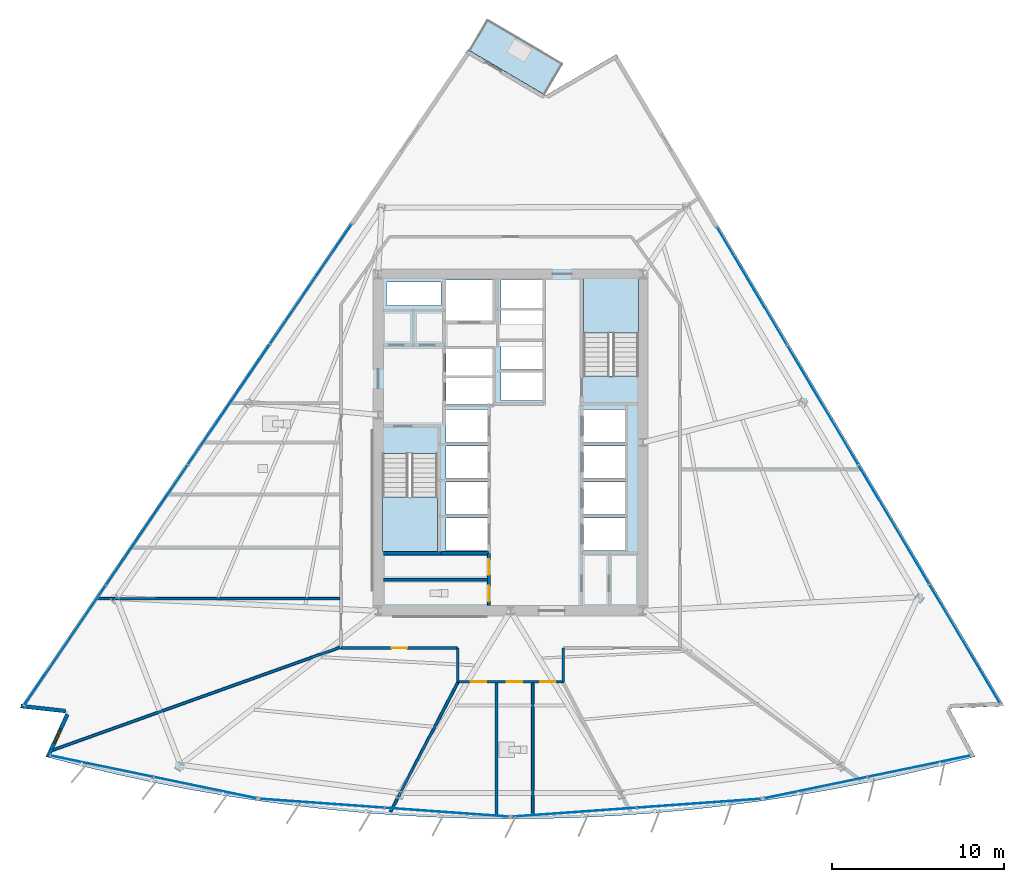
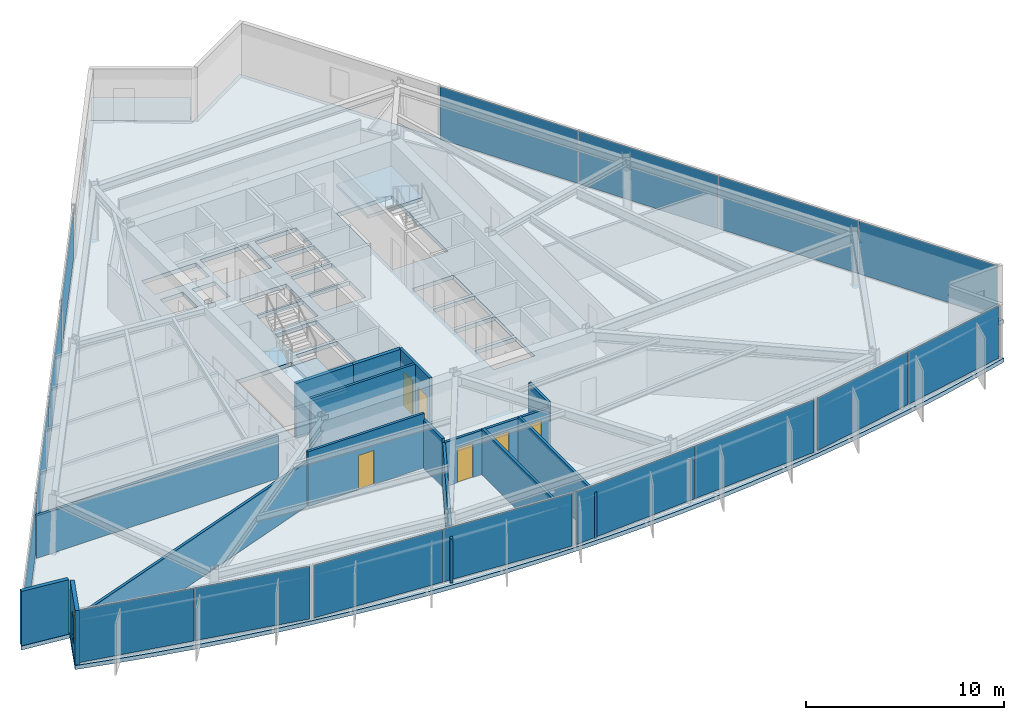
# One storey, part 7 of 15: 16 plates, 15 walls, 6 doors, 4 slabs, 1 window, 7 openings, 8 elements without a shape of their own.
"""IFC4 building model written with IfcOpenShell, lengths in metres."""

from ifc_helpers import new_model, si_unit, direction, frame, frame_2d, origin, origin_2d, place, context, subcontext, project, spatial, polyline, rectangle, outline, extrude, material, layer, layer_set, type_object, element, fill, aggregate, save


model = new_model("IFC4")

# Units and contexts
model_context = context("Model", 3, precision=1e-05, world=origin(), true_north=direction((0.0, 1.0)))
body_context = subcontext(model_context, "Body", "Model", "MODEL_VIEW")
ifc_project = project(units=[si_unit("LENGTHUNIT", "METRE"), si_unit("AREAUNIT", "SQUARE_METRE"), si_unit("VOLUMEUNIT", "CUBIC_METRE"), si_unit("PLANEANGLEUNIT", "RADIAN"), si_unit("MASSUNIT", "GRAM", prefix="KILO")], contexts=[model_context])

# Site, building, storey
site_placement = place(None, origin())
site = spatial("IfcSite", under=ifc_project, at=site_placement, CompositionType="ELEMENT")
building_placement = place(site_placement, origin())
building = spatial("IfcBuilding", under=site, at=building_placement, Name="Savorim Split Tower", CompositionType="ELEMENT")
storey_placement = place(building_placement, frame((0.0, 0.0, 82.5)))
storey = spatial("IfcBuildingStorey", under=building, at=storey_placement, Name="L21", CompositionType="ELEMENT", Elevation=82.5)

# Curtain wall, plates
ifc_material_1 = material(Name="Dark Ceramic-Fritted Insulated Glass", Category="glass")
curtain_wall_type = type_object("IfcCurtainWallType", Name="CW-TWR-FRIT-A", PredefinedType="NOTDEFINED", material=ifc_material_1)
curtain_wall_1_placement = place(storey_placement, origin())
curtain_wall_1 = element("IfcCurtainWall", 1, at=curtain_wall_1_placement, inside=storey, type_object=curtain_wall_type, Name="L21 Curtain Wall CW-L21-SF1", PredefinedType="NOTDEFINED")
ifc_layer_1 = layer(ifc_material_1, 0.028076171875)
ifc_layer_set_1 = layer_set([ifc_layer_1], Name="CWP-FRITA-28")
plate_type = type_object("IfcPlateType", Name="CWP-FRITA-28", PredefinedType="CURTAIN_PANEL", material=ifc_layer_set_1)
plate_1_placement = place(storey_placement, frame((-23.7607421875, -18.440673828125, 0.05517578125), z_axis=(0.0, 0.0, 1.0), x_axis=(0.979135145772, -0.203210153081, 0.0)))
plate_1 = element("IfcPlate", 2, at=plate_1_placement, type_object=plate_type, Name="CW-02 panel 1.1", PredefinedType="CURTAIN_PANEL", context=body_context, shape_type="SweptSolid", body=[
    extrude(rectangle(XDim=6.072021484375, YDim=0.028076171875, at=origin_2d()), origin(), (0.0, 0.0, 1.0), 3.239990234375),
])
plate_2_placement = place(storey_placement, frame((-17.751708984375, -19.687744140625, 0.05517578125), z_axis=(0.0, 0.0, 1.0), x_axis=(0.979135145772, -0.203210153081, 0.0)))
plate_2 = element("IfcPlate", 3, at=plate_2_placement, type_object=plate_type, Name="CW-02 panel 2.1", PredefinedType="CURTAIN_PANEL", context=body_context, shape_type="SweptSolid", body=[
    extrude(rectangle(XDim=6.072021484375, YDim=0.028076171875, at=origin_2d()), origin(), (0.0, 0.0, 1.0), 3.239990234375),
])
aggregate(curtain_wall_1, [plate_1, plate_2])

curtain_wall_2_placement = place(storey_placement, origin())
curtain_wall_2 = element("IfcCurtainWall", 4, at=curtain_wall_2_placement, inside=storey, type_object=curtain_wall_type, Name="L21 Curtain Wall CW-L21-SF2", PredefinedType="NOTDEFINED")
plate_3_placement = place(storey_placement, frame((-10.9560546875, -20.594482421875, 0.05517578125), z_axis=(0.0, 0.0, 1.0), x_axis=(0.997436258114, -0.071560540796, 0.0)))
plate_3 = element("IfcPlate", 5, at=plate_3_placement, type_object=plate_type, Name="CW-02 panel 1.1", PredefinedType="CURTAIN_PANEL", context=body_context, shape_type="SweptSolid", body=[
    extrude(rectangle(XDim=7.201904296875, YDim=0.028076171875, at=origin_2d()), origin(), (0.0, 0.0, 1.0), 3.239990234375),
])
plate_4_placement = place(storey_placement, frame((-3.707763671875, -21.114501953125, 0.05517578125), z_axis=(0.0, 0.0, 1.0), x_axis=(0.997436258114, -0.071560540796, 0.0)))
plate_4 = element("IfcPlate", 6, at=plate_4_placement, type_object=plate_type, Name="CW-02 panel 2.1", PredefinedType="CURTAIN_PANEL", context=body_context, shape_type="SweptSolid", body=[
    extrude(rectangle(XDim=7.201904296875, YDim=0.028076171875, at=origin_2d()), origin(), (0.0, 0.0, 1.0), 3.239990234375),
])
aggregate(curtain_wall_2, [plate_3, plate_4])

curtain_wall_3_placement = place(storey_placement, origin())
curtain_wall_3 = element("IfcCurtainWall", 7, at=curtain_wall_3_placement, inside=storey, type_object=curtain_wall_type, Name="L21 Curtain Wall CW-L21-SF3", PredefinedType="NOTDEFINED")
plate_5_placement = place(storey_placement, frame((3.707763671875, -21.114501953125, 0.05517578125), z_axis=(0.0, 0.0, 1.0), x_axis=(0.997436258114, 0.071560540796, 0.0)))
plate_5 = element("IfcPlate", 8, at=plate_5_placement, type_object=plate_type, Name="CW-02 panel 1.1", PredefinedType="CURTAIN_PANEL", context=body_context, shape_type="SweptSolid", body=[
    extrude(rectangle(XDim=7.201904296875, YDim=0.028076171875, at=origin_2d()), origin(), (0.0, 0.0, 1.0), 3.239990234375),
])
plate_6_placement = place(storey_placement, frame((10.9560546875, -20.594482421875, 0.05517578125), z_axis=(0.0, 0.0, 1.0), x_axis=(0.997436258114, 0.071560540796, 0.0)))
plate_6 = element("IfcPlate", 9, at=plate_6_placement, type_object=plate_type, Name="CW-02 panel 2.1", PredefinedType="CURTAIN_PANEL", context=body_context, shape_type="SweptSolid", body=[
    extrude(rectangle(XDim=7.201904296875, YDim=0.028076171875, at=origin_2d()), origin(), (0.0, 0.0, 1.0), 3.239990234375),
])
aggregate(curtain_wall_3, [plate_5, plate_6])

curtain_wall_4_placement = place(storey_placement, origin())
curtain_wall_4 = element("IfcCurtainWall", 10, at=curtain_wall_4_placement, inside=storey, type_object=curtain_wall_type, Name="L21 Curtain Wall CW-L21-SF4", PredefinedType="NOTDEFINED")
plate_7_placement = place(storey_placement, frame((17.751708984375, -19.687744140625, 0.05517578125), z_axis=(0.0, 0.0, 1.0), x_axis=(0.979135145772, 0.203210153081, 0.0)))
plate_7 = element("IfcPlate", 11, at=plate_7_placement, type_object=plate_type, Name="CW-02 panel 1.1", PredefinedType="CURTAIN_PANEL", context=body_context, shape_type="SweptSolid", body=[
    extrude(rectangle(XDim=6.072021484375, YDim=0.028076171875, at=origin_2d()), origin(), (0.0, 0.0, 1.0), 3.239990234375),
])
plate_8_placement = place(storey_placement, frame((23.7607421875, -18.440673828125, 0.05517578125), z_axis=(0.0, 0.0, 1.0), x_axis=(0.979135145772, 0.203210153081, 0.0)))
plate_8 = element("IfcPlate", 12, at=plate_8_placement, type_object=plate_type, Name="CW-02 panel 2.1", PredefinedType="CURTAIN_PANEL", context=body_context, shape_type="SweptSolid", body=[
    extrude(rectangle(XDim=6.072021484375, YDim=0.028076171875, at=origin_2d()), origin(), (0.0, 0.0, 1.0), 3.239990234375),
])
aggregate(curtain_wall_4, [plate_7, plate_8])

curtain_wall_5_placement = place(storey_placement, origin())
curtain_wall_5 = element("IfcCurtainWall", 13, at=curtain_wall_5_placement, inside=storey, type_object=curtain_wall_type, Name="L21 Curtain Wall CW-L21-EAST", PredefinedType="NOTDEFINED")
plate_9_placement = place(storey_placement, frame((26.423583984375, -11.32275390625, 0.05517578125), z_axis=(0.0, 0.0, 1.0), x_axis=(-0.511094481315, 0.859524537852, 0.0)))
plate_9 = element("IfcPlate", 14, at=plate_9_placement, type_object=plate_type, Name="CW-02 panel 1.1", PredefinedType="CURTAIN_PANEL", context=body_context, shape_type="SweptSolid", body=[
    extrude(rectangle(XDim=7.983154296875, YDim=0.028076171875, at=origin_2d()), origin(), (0.0, 0.0, 1.0), 3.239990234375),
])
plate_10_placement = place(storey_placement, frame((22.3017578125, -4.39111328125, 0.05517578125), z_axis=(0.0, 0.0, 1.0), x_axis=(-0.511094481315, 0.859524537852, 0.0)))
plate_10 = element("IfcPlate", 15, at=plate_10_placement, type_object=plate_type, Name="CW-02 panel 2.1", PredefinedType="CURTAIN_PANEL", context=body_context, shape_type="SweptSolid", body=[
    extrude(rectangle(XDim=8.015625, YDim=0.028076171875, at=origin_2d()), origin(), (0.0, 0.0, 1.0), 3.239990234375),
])
plate_11_placement = place(storey_placement, frame((18.171630859375, 2.554443359375, 0.05517578125), z_axis=(0.0, 0.0, 1.0), x_axis=(-0.511094481315, 0.859524537852, 0.0)))
plate_11 = element("IfcPlate", 16, at=plate_11_placement, type_object=plate_type, Name="CW-02 panel 3.1", PredefinedType="CURTAIN_PANEL", context=body_context, shape_type="SweptSolid", body=[
    extrude(rectangle(XDim=8.015625, YDim=0.028076171875, at=origin_2d()), origin(), (0.0, 0.0, 1.0), 3.239990234375),
])
plate_12_placement = place(storey_placement, frame((14.050048828125, 9.486083984375, 0.05517578125), z_axis=(0.0, 0.0, 1.0), x_axis=(-0.511094481315, 0.859524537852, 0.0)))
plate_12 = element("IfcPlate", 17, at=plate_12_placement, type_object=plate_type, Name="CW-02 panel 4.1", PredefinedType="CURTAIN_PANEL", context=body_context, shape_type="SweptSolid", body=[
    extrude(rectangle(XDim=7.983154296875, YDim=0.028076171875, at=origin_2d()), origin(), (0.0, 0.0, 1.0), 3.239990234375),
])
aggregate(curtain_wall_5, [plate_9, plate_10, plate_11, plate_12])

curtain_wall_6_placement = place(storey_placement, origin())
curtain_wall_6 = element("IfcCurtainWall", 18, at=curtain_wall_6_placement, inside=storey, type_object=curtain_wall_type, Name="L21 Curtain Wall CW-L21-WEST", PredefinedType="NOTDEFINED")
plate_13_placement = place(storey_placement, frame((-11.61328125, 9.613525390625, 0.05517578125), z_axis=(0.0, 0.0, 1.0), x_axis=(-0.562467515846, -0.826819383915, 0.0)))
plate_13 = element("IfcPlate", 19, at=plate_13_placement, type_object=plate_type, Name="CW-02 panel 1.1", PredefinedType="CURTAIN_PANEL", context=body_context, shape_type="SweptSolid", body=[
    extrude(rectangle(XDim=8.39013671875, YDim=0.028076171875, at=origin_2d()), origin(), (0.0, 0.0, 1.0), 3.239990234375),
])
plate_14_placement = place(storey_placement, frame((-16.378173828125, 2.609375, 0.05517578125), z_axis=(0.0, 0.0, 1.0), x_axis=(-0.562467515846, -0.826819383915, 0.0)))
plate_14 = element("IfcPlate", 20, at=plate_14_placement, type_object=plate_type, Name="CW-02 panel 2.1", PredefinedType="CURTAIN_PANEL", context=body_context, shape_type="SweptSolid", body=[
    extrude(rectangle(XDim=8.422607421875, YDim=0.028076171875, at=origin_2d()), origin(), (0.0, 0.0, 1.0), 3.239990234375),
])
plate_15_placement = place(storey_placement, frame((-21.15234375, -4.408447265625, 0.05517578125), z_axis=(0.0, 0.0, 1.0), x_axis=(-0.562467515846, -0.826819383915, 0.0)))
plate_15 = element("IfcPlate", 21, at=plate_15_placement, type_object=plate_type, Name="CW-02 panel 3.1", PredefinedType="CURTAIN_PANEL", context=body_context, shape_type="SweptSolid", body=[
    extrude(rectangle(XDim=8.422607421875, YDim=0.028076171875, at=origin_2d()), origin(), (0.0, 0.0, 1.0), 3.239990234375),
])
plate_16_placement = place(storey_placement, frame((-25.917236328125, -11.412841796875, 0.05517578125), z_axis=(0.0, 0.0, 1.0), x_axis=(-0.562467515846, -0.826819383915, 0.0)))
plate_16 = element("IfcPlate", 22, at=plate_16_placement, type_object=plate_type, Name="CW-02 panel 4.1", PredefinedType="CURTAIN_PANEL", context=body_context, shape_type="SweptSolid", body=[
    extrude(rectangle(XDim=8.39013671875, YDim=0.028076171875, at=origin_2d()), origin(), (0.0, 0.0, 1.0), 3.239990234375),
])
aggregate(curtain_wall_6, [plate_13, plate_14, plate_15, plate_16])

# Slab
ifc_material_2 = material(Name="Concrete C50/60", Category="concrete")
ifc_layer_2 = layer(ifc_material_2, 0.219970703125)
ifc_layer_set_2 = layer_set([ifc_layer_2], Name="SLB-BAL-220")
slab_type_1 = type_object("IfcSlabType", Name="SLB-BAL-220", PredefinedType="FLOOR", material=ifc_layer_set_2)
slab_1_placement = place(storey_placement, frame((0.0, 0.0, -0.219970703125)))
element("IfcSlab", 23, at=slab_1_placement, inside=storey, type_object=slab_type_1, Name="L21 Notched Corner Planted Tree Balcony Slab", PredefinedType="FLOOR", context=body_context, shape_type="SweptSolid", body=[
    extrude(outline(polyline([(-2.377197265625, 23.191650390625), (1.94580078125, 20.650634765625), (2.98193359375, 22.413818359375), (-1.341064453125, 24.95458984375), (-2.377197265625, 23.191650390625)])), origin(), (0.0, 0.0, 1.0), 0.219970703125),
])

# Stair, slab
stair_type = type_object("IfcStairType", Name="STR-DOG-3600", PredefinedType="HALF_TURN_STAIR", material=ifc_material_2)
stair_1_placement = place(storey_placement, origin())
stair_1 = element("IfcStair", 24, at=stair_1_placement, inside=storey, type_object=stair_type, Name="L21 Core Protected Exit Stair ST-1", PredefinedType="HALF_TURN_STAIR")
ifc_layer_3 = layer(ifc_material_2, 0.199951171875)
ifc_layer_set_3 = layer_set([ifc_layer_3], Name="SLB-LND-200")
slab_type_2 = type_object("IfcSlabType", Name="SLB-LND-200", PredefinedType="LANDING", material=ifc_layer_set_3)
slab_2_placement = place(storey_placement, frame((0.0, 0.0, 1.60009765625)))
slab_2 = element("IfcSlab", 25, at=slab_2_placement, type_object=slab_type_2, Name="ST-1 landing 1", PredefinedType="LANDING", context=body_context, shape_type="SweptSolid", body=[
    extrude(outline(polyline([(-7.449951171875, -2.77001953125), (-7.449951171875, -5.949951171875), (-4.25, -5.949951171875), (-4.25, -2.77001953125), (-7.449951171875, -2.77001953125)])), origin(), (0.0, 0.0, 1.0), 0.199951171875),
])
aggregate(stair_1, [slab_2])

stair_2_placement = place(storey_placement, origin())
stair_2 = element("IfcStair", 26, at=stair_2_placement, inside=storey, type_object=stair_type, Name="L21 Core Protected Exit Stair ST-2", PredefinedType="HALF_TURN_STAIR")
slab_3_placement = place(storey_placement, frame((0.0, 0.0, 1.60009765625)))
slab_3 = element("IfcSlab", 27, at=slab_3_placement, type_object=slab_type_2, Name="ST-2 landing 1", PredefinedType="LANDING", context=body_context, shape_type="SweptSolid", body=[
    extrude(outline(polyline([(7.449951171875, 6.77001953125), (7.449951171875, 9.949951171875), (4.25, 9.949951171875), (4.25, 6.77001953125), (7.449951171875, 6.77001953125)])), origin(), (0.0, 0.0, 1.0), 0.199951171875),
])
aggregate(stair_2, [slab_3])

# Slab
ifc_layer_4 = layer(ifc_material_2, 0.25)
ifc_layer_set_4 = layer_set([ifc_layer_4], Name="SLB-TWR-250")
slab_type_3 = type_object("IfcSlabType", Name="SLB-TWR-250", PredefinedType="FLOOR", material=ifc_layer_set_4)
slab_4_placement = place(storey_placement, frame((0.0, 0.0, -0.25)))
element("IfcSlab", 28, at=slab_4_placement, inside=storey, type_object=slab_type_3, Name="L21 Structural Floor Slab", PredefinedType="FLOOR", context=body_context, shape_type="SweptSolid", body=[
    extrude(outline(polyline([(-27.036865234375, -17.88330078125), (-25.000732421875, -18.415771484375), (-22.954345703125, -18.90625), (-20.898193359375, -19.35498046875), (-18.83349609375, -19.76171875), (-16.7607421875, -20.125732421875), (-14.68115234375, -20.447509765625), (-12.59521484375, -20.7265625), (-10.504150390625, -20.962890625), (-8.40869140625, -21.156494140625), (-6.3095703125, -21.30712890625), (-4.207763671875, -21.414794921875), (-2.104248046875, -21.479248046875), (0.0, -21.500732421875), (2.104248046875, -21.479248046875), (4.207763671875, -21.414794921875), (6.3095703125, -21.30712890625), (8.40869140625, -21.156494140625), (10.504150390625, -20.962890625), (12.59521484375, -20.7265625), (14.68115234375, -20.447509765625), (16.7607421875, -20.125732421875), (18.83349609375, -19.76171875), (20.898193359375, -19.35498046875), (22.954345703125, -18.90625), (25.000732421875, -18.415771484375), (27.036865234375, -17.88330078125), (25.52880859375, -15.072998046875), (28.71240234375, -14.9375), (6.1630859375, 22.984619140625), (2.046875, 20.585693359375), (-2.4833984375, 23.248046875), (-28.536376953125, -15.049560546875), (-25.87158203125, -15.34716796875), (-27.036865234375, -17.88330078125)]), holes=[polyline([(-7.449951171875, -0.25390625), (-7.449951171875, -5.949951171875), (-4.25, -5.949951171875), (-4.25, -0.25390625), (-7.449951171875, -0.25390625)]), polyline([(7.449951171875, 4.25390625), (7.449951171875, 9.949951171875), (4.25, 9.949951171875), (4.25, 4.25390625), (7.449951171875, 4.25390625)]), polyline([(4.25, -5.89990234375), (6.64990234375, -5.89990234375), (6.64990234375, -4.0), (4.25, -4.0), (4.25, -5.89990234375)]), polyline([(4.25, -3.800048828125), (6.64990234375, -3.800048828125), (6.64990234375, -1.89990234375), (4.25, -1.89990234375), (4.25, -3.800048828125)]), polyline([(4.25, -1.699951171875), (6.64990234375, -1.699951171875), (6.64990234375, 0.199951171875), (4.25, 0.199951171875), (4.25, -1.699951171875)]), polyline([(4.25, 0.39990234375), (6.64990234375, 0.39990234375), (6.64990234375, 2.300048828125), (4.25, 2.300048828125), (4.25, 0.39990234375)]), polyline([(-3.75, -5.89990234375), (-1.35009765625, -5.89990234375), (-1.35009765625, -4.0), (-3.75, -4.0), (-3.75, -5.89990234375)]), polyline([(-3.75, -3.800048828125), (-1.35009765625, -3.800048828125), (-1.35009765625, -1.89990234375), (-3.75, -1.89990234375), (-3.75, -3.800048828125)]), polyline([(-3.75, -1.699951171875), (-1.35009765625, -1.699951171875), (-1.35009765625, 0.199951171875), (-3.75, 0.199951171875), (-3.75, -1.699951171875)]), polyline([(-3.75, 0.39990234375), (-1.35009765625, 0.39990234375), (-1.35009765625, 2.300048828125), (-3.75, 2.300048828125), (-3.75, 0.39990234375)]), polyline([(-0.550048828125, 2.830078125), (1.85009765625, 2.830078125), (1.85009765625, 4.469970703125), (-0.550048828125, 4.469970703125), (-0.550048828125, 2.830078125)]), polyline([(-0.550048828125, 4.6298828125), (1.85009765625, 4.6298828125), (1.85009765625, 6.27001953125), (-0.550048828125, 6.27001953125), (-0.550048828125, 4.6298828125)]), polyline([(-0.550048828125, 6.429931640625), (1.85009765625, 6.429931640625), (1.85009765625, 8.070068359375), (-0.550048828125, 8.070068359375), (-0.550048828125, 6.429931640625)]), polyline([(-0.550048828125, 8.22998046875), (1.85009765625, 8.22998046875), (1.85009765625, 9.8701171875), (-0.550048828125, 9.8701171875), (-0.550048828125, 8.22998046875)]), polyline([(-3.75, 2.60009765625), (-1.050048828125, 2.60009765625), (-1.050048828125, 4.159912109375), (-3.75, 4.159912109375), (-3.75, 2.60009765625)]), polyline([(-3.75, 4.280029296875), (-1.050048828125, 4.280029296875), (-1.050048828125, 5.840087890625), (-3.75, 5.840087890625), (-3.75, 4.280029296875)]), polyline([(-3.75, 7.449951171875), (-0.949951171875, 7.449951171875), (-0.949951171875, 9.85009765625), (-3.75, 9.85009765625), (-3.75, 7.449951171875)]), polyline([(-7.219970703125, 6.320068359375), (-5.919921875, 6.320068359375), (-5.919921875, 7.820068359375), (-7.219970703125, 7.820068359375), (-7.219970703125, 6.320068359375)]), polyline([(-5.3798828125, 6.320068359375), (-4.050048828125, 6.320068359375), (-4.050048828125, 7.820068359375), (-5.3798828125, 7.820068359375), (-5.3798828125, 6.320068359375)]), polyline([(-7.219970703125, 8.360107421875), (-4.050048828125, 8.360107421875), (-4.050048828125, 9.719970703125), (-7.219970703125, 9.719970703125), (-7.219970703125, 8.360107421875)])]), origin(), (0.0, 0.0, 1.0), 0.25),
])

# Wall
ifc_material_3 = material(Name="Precast concrete C40/50", Category="concrete")
ifc_layer_5 = layer(ifc_material_3, 0.219970703125)
ifc_layer_set_5 = layer_set([ifc_layer_5], Name="WAL-EXT-CRN220")
wall_type_1 = type_object("IfcWallType", Name="WAL-EXT-CRN220", PredefinedType="SOLIDWALL", material=ifc_layer_set_5)
wall_1_placement = place(storey_placement, frame((-25.89794921875, -15.223388671875, 0.0), z_axis=(0.0, 0.0, 1.0), x_axis=(-0.993827522589, 0.110936267041, 0.0)))
element("IfcWall", 29, at=wall_1_placement, inside=storey, type_object=wall_type_1, Name="L21 Notched Corner Facade Wall SW1", PredefinedType="SOLIDWALL", context=body_context, shape_type="SweptSolid", body=[
    extrude(rectangle(XDim=2.601318359375, YDim=0.219970703125, at=frame_2d((1.30078125, 0.0))), origin(), (0.0, 0.0, 1.0), 3.35009765625),
])

# Wall, opening, window
wall_2_placement = place(storey_placement, frame((-26.9111328125, -17.89697265625, 0.0), z_axis=(0.0, 0.0, 1.0), x_axis=(0.417504190978, 0.908674997189, 0.0)))
wall_2 = element("IfcWall", 30, at=wall_2_placement, inside=storey, type_object=wall_type_1, Name="L21 Notched Corner Facade Wall SW", PredefinedType="SOLIDWALL", context=body_context, shape_type="SweptSolid", body=[
    extrude(rectangle(XDim=2.7109375, YDim=0.219970703125, at=frame_2d((1.35546875, 0.0))), origin(), (0.0, 0.0, 1.0), 3.35009765625),
])
opening_1_placement = place(wall_2_placement, frame((0.905517578125, 0.0, 0.6201171875)))
opening_1 = element("IfcOpeningElement", 31, at=opening_1_placement, cuts=wall_2, Name="Opening WN-10", PredefinedType="OPENING", context=body_context, shape_type="SweptSolid", body=[
    extrude(rectangle(XDim=0.89990234375, YDim=1.60009765625, at=frame_2d((0.449951171875, 0.800048828125))), frame((0.0, 0.119873046875, 0.0), z_axis=(0.0, -1.0, 0.0), x_axis=(1.0, 0.0, 0.0)), (0.0, 0.0, 1.0), 0.239990234375),
])
ifc_material_4 = material(Name="Low-E Operable Double Glazing", Category="glass")
window_type = type_object("IfcWindowType", Name="WIN-TWR-900x1600", PartitioningType="SINGLE_PANEL", PredefinedType="WINDOW", material=ifc_material_4)
window_placement = place(opening_1_placement, origin())
window = element("IfcWindow", 32, at=window_placement, inside=storey, type_object=window_type, Name="L21 Operable Corner Window SW", OverallHeight=1.60009765625, OverallWidth=0.89990234375, PartitioningType="SINGLE_PANEL", PredefinedType="WINDOW", context=body_context, shape_type="SweptSolid", body=[
    extrude(rectangle(XDim=0.89990234375, YDim=1.60009765625, at=frame_2d((0.449951171875, 0.800048828125))), frame((0.0, 0.030029296875, 0.0), z_axis=(0.0, -1.0, 0.0), x_axis=(1.0, 0.0, 0.0)), (0.0, 0.0, 1.0), 0.06005859375),
])
fill(opening_1, window)

# Walls
ifc_layer_6 = layer(ifc_material_2, 0.199951171875)
ifc_layer_set_6 = layer_set([ifc_layer_6], Name="WAL-INT-RC200")
wall_type_2 = type_object("IfcWallType", Name="WAL-INT-RC200", PredefinedType="SOLIDWALL", material=ifc_layer_set_6)
wall_3_placement = place(storey_placement, frame((-7.39990234375, -6.050048828125, 0.0), z_axis=(0.0, 0.0, 1.0), x_axis=(1.0, 0.0, 0.0)))
element("IfcWall", 33, at=wall_3_placement, inside=storey, type_object=wall_type_2, Name="L21 Structural Shaft Wall W-L21-KSEP-W", PredefinedType="SOLIDWALL", context=body_context, shape_type="SweptSolid", body=[
    extrude(rectangle(XDim=3.349853515625, YDim=0.199951171875, at=frame_2d((1.6748046875, 0.0))), origin(), (0.0, 0.0, 1.0), 3.35009765625),
])
wall_4_placement = place(storey_placement, frame((-4.0400390625, -6.050048828125, 0.0), z_axis=(0.0, 0.0, 1.0), x_axis=(1.0, 0.0, 0.0)))
element("IfcWall", 34, at=wall_4_placement, inside=storey, type_object=wall_type_2, Name="L21 Partition W-L21-KSEP-W2", PredefinedType="SOLIDWALL", context=body_context, shape_type="SweptSolid", body=[
    extrude(rectangle(XDim=2.7900390625, YDim=0.199951171875, at=frame_2d((1.39501953125, 0.0))), origin(), (0.0, 0.0, 1.0), 3.35009765625),
])

# Wall, openings, doors
ifc_material_5 = material(Name="Acoustic Gypsum Partition Board")
ifc_layer_7 = layer(ifc_material_5, 0.14990234375)
ifc_layer_set_7 = layer_set([ifc_layer_7], Name="WAL-PAR-150")
wall_type_3 = type_object("IfcWallType", Name="WAL-PAR-150", PredefinedType="PARTITIONING", material=ifc_layer_set_7)
wall_5_placement = place(storey_placement, frame((-1.25, -9.094970703125, 0.0), z_axis=(0.0, 0.0, 1.0), x_axis=(0.0, 1.0, 0.0)))
wall_5 = element("IfcWall", 35, at=wall_5_placement, inside=storey, type_object=wall_type_3, Name="L21 Partition W-L21-KLOB-W", PredefinedType="PARTITIONING", context=body_context, shape_type="SweptSolid", body=[
    extrude(rectangle(XDim=3.044921875, YDim=0.14990234375, at=frame_2d((1.5224609375, 0.0))), origin(), (0.0, 0.0, 1.0), 3.35009765625),
])
opening_2_placement = place(wall_5_placement, frame((1.794921875, 0.0, 0.0)))
opening_2 = element("IfcOpeningElement", 36, at=opening_2_placement, cuts=wall_5, Name="Opening DI-06", PredefinedType="OPENING", context=body_context, shape_type="SweptSolid", body=[
    extrude(rectangle(XDim=0.89990234375, YDim=2.10009765625, at=frame_2d((0.449951171875, 1.050048828125))), frame((0.0, 0.0849609375, 0.0), z_axis=(0.0, -1.0, 0.0), x_axis=(1.0, 0.0, 0.0)), (0.0, 0.0, 1.0), 0.169921875),
])
opening_3_placement = place(wall_5_placement, frame((0.2451171875, 0.0, 0.0)))
opening_3 = element("IfcOpeningElement", 37, at=opening_3_placement, cuts=wall_5, Name="Opening DI-11", PredefinedType="OPENING", context=body_context, shape_type="SweptSolid", body=[
    extrude(rectangle(XDim=0.89990234375, YDim=2.10009765625, at=frame_2d((0.449951171875, 1.050048828125))), frame((0.0, 0.0849609375, 0.0), z_axis=(0.0, -1.0, 0.0), x_axis=(1.0, 0.0, 0.0)), (0.0, 0.0, 1.0), 0.169921875),
])
ifc_material_6 = material(Name="Timber Fire Door Leaf", Category="wood")
door_type_1 = type_object("IfcDoorType", Name="DOR-FIR-900", OperationType="NOTDEFINED", PredefinedType="DOOR", material=ifc_material_6)
door_1_placement = place(opening_2_placement, origin())
door_1 = element("IfcDoor", 38, at=door_1_placement, inside=storey, type_object=door_type_1, Name="DR-L21-K2CLN - L21 Cleaning Store Door", OperationType="SINGLE_SWING_LEFT", OverallHeight=2.10009765625, OverallWidth=0.89990234375, PredefinedType="DOOR", context=body_context, shape_type="SweptSolid", body=[
    extrude(rectangle(XDim=0.89990234375, YDim=2.10009765625, at=frame_2d((0.449951171875, 1.050048828125))), frame((0.0, 0.02490234375, 0.0), z_axis=(0.0, -1.0, 0.0), x_axis=(1.0, 0.0, 0.0)), (0.0, 0.0, 1.0), 0.050048828125),
])
fill(opening_2, door_1)
ifc_material_7 = material(Name="Oak Veneer Acoustic Door")
door_type_2 = type_object("IfcDoorType", Name="DOR-WC-900", OperationType="NOTDEFINED", PredefinedType="DOOR", material=ifc_material_7)
door_2_placement = place(opening_3_placement, origin())
door_2 = element("IfcDoor", 39, at=door_2_placement, inside=storey, type_object=door_type_2, Name="DR-L21-K2WC - L21 Core WC Door", OperationType="SINGLE_SWING_RIGHT", OverallHeight=2.10009765625, OverallWidth=0.89990234375, PredefinedType="DOOR", context=body_context, shape_type="SweptSolid", body=[
    extrude(rectangle(XDim=0.89990234375, YDim=2.10009765625, at=frame_2d((0.449951171875, 1.050048828125))), frame((0.0, 0.02490234375, 0.0), z_axis=(0.0, -1.0, 0.0), x_axis=(1.0, 0.0, 0.0)), (0.0, 0.0, 1.0), 0.050048828125),
])
fill(opening_3, door_2)

# Walls
wall_6_placement = place(storey_placement, frame((-7.39501953125, -7.580078125, 0.0), z_axis=(0.0, 0.0, 1.0), x_axis=(1.0, 0.0, 0.0)))
element("IfcWall", 40, at=wall_6_placement, inside=storey, type_object=wall_type_3, Name="L21 Partition W-L21-K2H", PredefinedType="PARTITIONING", context=body_context, shape_type="SweptSolid", body=[
    extrude(rectangle(XDim=6.14501953125, YDim=0.14990234375, at=frame_2d((3.072509765625, 0.0))), origin(), (0.0, 0.0, 1.0), 3.35009765625),
])
wall_7_placement = place(storey_placement, frame((3.080078125, -11.56005859375, 0.0), z_axis=(0.0, 0.0, 1.0), x_axis=(0.0, -1.0, 0.0)))
element("IfcWall", 41, at=wall_7_placement, inside=storey, type_object=wall_type_3, Name="L21 Partition W-L21-COR-07", PredefinedType="PARTITIONING", context=body_context, shape_type="SweptSolid", body=[
    extrude(rectangle(XDim=1.969970703125, YDim=0.14990234375, at=frame_2d((0.98486328125, 0.0))), origin(), (0.0, 0.0, 1.0), 3.054931640625),
])

# Wall, openings, doors
wall_8_placement = place(storey_placement, frame((3.080078125, -13.530029296875, 0.0), z_axis=(0.0, 0.0, 1.0), x_axis=(-1.0, 0.0, 0.0)))
wall_8 = element("IfcWall", 42, at=wall_8_placement, inside=storey, type_object=wall_type_3, Name="L21 Partition W-L21-COR-08", PredefinedType="PARTITIONING", context=body_context, shape_type="SweptSolid", body=[
    extrude(rectangle(XDim=6.16015625, YDim=0.14990234375, at=frame_2d((3.080078125, 0.0))), origin(), (0.0, 0.0, 1.0), 2.72509765625),
])
opening_4_placement = place(wall_8_placement, frame((4.487060546875, 0.0, 0.0)))
opening_4 = element("IfcOpeningElement", 43, at=opening_4_placement, cuts=wall_8, Name="Opening DI-06", PredefinedType="OPENING", context=body_context, shape_type="SweptSolid", body=[
    extrude(rectangle(XDim=0.89990234375, YDim=2.10009765625, at=frame_2d((0.449951171875, 1.050048828125))), frame((0.0, 0.0849609375, 0.0), z_axis=(0.0, -1.0, 0.0), x_axis=(1.0, 0.0, 0.0)), (0.0, 0.0, 1.0), 0.169921875),
])
opening_5_placement = place(wall_8_placement, frame((2.386474609375, 0.0, 0.0)))
opening_5 = element("IfcOpeningElement", 44, at=opening_5_placement, cuts=wall_8, Name="Opening DI-11", PredefinedType="OPENING", context=body_context, shape_type="SweptSolid", body=[
    extrude(rectangle(XDim=0.89990234375, YDim=2.10009765625, at=frame_2d((0.449951171875, 1.050048828125))), frame((0.0, 0.0849609375, 0.0), z_axis=(0.0, -1.0, 0.0), x_axis=(1.0, 0.0, 0.0)), (0.0, 0.0, 1.0), 0.169921875),
])
opening_6_placement = place(wall_8_placement, frame((0.4892578125, 0.0, 0.0)))
opening_6 = element("IfcOpeningElement", 45, at=opening_6_placement, cuts=wall_8, Name="Opening DI-13", PredefinedType="OPENING", context=body_context, shape_type="SweptSolid", body=[
    extrude(rectangle(XDim=0.85009765625, YDim=2.10009765625, at=frame_2d((0.425048828125, 1.050048828125))), frame((0.0, 0.0849609375, 0.0), z_axis=(0.0, -1.0, 0.0), x_axis=(1.0, 0.0, 0.0)), (0.0, 0.0, 1.0), 0.169921875),
])
door_type_3 = type_object("IfcDoorType", Name="DOR-FIR-850", OperationType="NOTDEFINED", PredefinedType="DOOR", material=ifc_material_6)
door_3_placement = place(opening_6_placement, origin())
door_3 = element("IfcDoor", 46, at=door_3_placement, inside=storey, type_object=door_type_3, Name="DR-L21-RM08 - L21 Co-Living Bedroom Entry Door", OperationType="SINGLE_SWING_LEFT", OverallHeight=2.10009765625, OverallWidth=0.85009765625, PredefinedType="DOOR", context=body_context, shape_type="SweptSolid", body=[
    extrude(rectangle(XDim=0.85009765625, YDim=2.10009765625, at=frame_2d((0.425048828125, 1.050048828125))), frame((0.0, 0.02490234375, 0.0), z_axis=(0.0, -1.0, 0.0), x_axis=(1.0, 0.0, 0.0)), (0.0, 0.0, 1.0), 0.050048828125),
])
fill(opening_6, door_3)
door_4_placement = place(opening_4_placement, origin())
door_4 = element("IfcDoor", 47, at=door_4_placement, inside=storey, type_object=door_type_1, Name="DR-L21-RM06 - L21 Co-Living Bedroom Entry Door", OperationType="SINGLE_SWING_LEFT", OverallHeight=2.10009765625, OverallWidth=0.89990234375, PredefinedType="DOOR", context=body_context, shape_type="SweptSolid", body=[
    extrude(rectangle(XDim=0.89990234375, YDim=2.10009765625, at=frame_2d((0.449951171875, 1.050048828125))), frame((0.0, 0.02490234375, 0.0), z_axis=(0.0, -1.0, 0.0), x_axis=(1.0, 0.0, 0.0)), (0.0, 0.0, 1.0), 0.050048828125),
])
fill(opening_4, door_4)
door_5_placement = place(opening_5_placement, origin())
door_5 = element("IfcDoor", 48, at=door_5_placement, inside=storey, type_object=door_type_2, Name="DR-L21-RM07 - L21 Shared Bathroom Entry Door", OperationType="SINGLE_SWING_RIGHT", OverallHeight=2.10009765625, OverallWidth=0.89990234375, PredefinedType="DOOR", context=body_context, shape_type="SweptSolid", body=[
    extrude(rectangle(XDim=0.89990234375, YDim=2.10009765625, at=frame_2d((0.449951171875, 1.050048828125))), frame((0.0, 0.02490234375, 0.0), z_axis=(0.0, -1.0, 0.0), x_axis=(1.0, 0.0, 0.0)), (0.0, 0.0, 1.0), 0.050048828125),
])
fill(opening_5, door_5)

# Wall
wall_9_placement = place(storey_placement, frame((-3.080078125, -13.530029296875, 0.0), z_axis=(0.0, 0.0, 1.0), x_axis=(0.0, 1.0, 0.0)))
element("IfcWall", 49, at=wall_9_placement, inside=storey, type_object=wall_type_3, Name="L21 Partition W-L21-COR-09", PredefinedType="PARTITIONING", context=body_context, shape_type="SweptSolid", body=[
    extrude(rectangle(XDim=1.969970703125, YDim=0.14990234375, at=frame_2d((0.98486328125, 0.0))), origin(), (0.0, 0.0, 1.0), 2.965087890625),
])

# Wall, opening, door
wall_10_placement = place(storey_placement, frame((-3.080078125, -11.56005859375, 0.0), z_axis=(0.0, 0.0, 1.0), x_axis=(-1.0, 0.0, 0.0)))
wall_10 = element("IfcWall", 50, at=wall_10_placement, inside=storey, type_object=wall_type_3, Name="L21 Partition W-L21-COR-10", PredefinedType="PARTITIONING", context=body_context, shape_type="SweptSolid", body=[
    extrude(rectangle(XDim=6.780029296875, YDim=0.14990234375, at=frame_2d((3.39013671875, 0.0))), origin(), (0.0, 0.0, 1.0), 3.35009765625),
])
opening_7_placement = place(wall_10_placement, frame((2.93994140625, 0.0, 0.0)))
opening_7 = element("IfcOpeningElement", 51, at=opening_7_placement, cuts=wall_10, Name="Opening DI-06", PredefinedType="OPENING", context=body_context, shape_type="SweptSolid", body=[
    extrude(rectangle(XDim=0.89990234375, YDim=2.10009765625, at=frame_2d((0.449951171875, 1.050048828125))), frame((0.0, 0.0849609375, 0.0), z_axis=(0.0, -1.0, 0.0), x_axis=(1.0, 0.0, 0.0)), (0.0, 0.0, 1.0), 0.169921875),
])
door_6_placement = place(opening_7_placement, origin())
door_6 = element("IfcDoor", 52, at=door_6_placement, inside=storey, type_object=door_type_1, Name="DR-L21-RM05 - L21 Co-Working Commons Entry Door", OperationType="SINGLE_SWING_RIGHT", OverallHeight=2.10009765625, OverallWidth=0.89990234375, PredefinedType="DOOR", context=body_context, shape_type="SweptSolid", body=[
    extrude(rectangle(XDim=0.89990234375, YDim=2.10009765625, at=frame_2d((0.449951171875, 1.050048828125))), frame((0.0, 0.02490234375, 0.0), z_axis=(0.0, -1.0, 0.0), x_axis=(1.0, 0.0, 0.0)), (0.0, 0.0, 1.0), 0.050048828125),
])
fill(opening_7, door_6)

# Walls
wall_11_placement = place(storey_placement, frame((-3.06591796875, -13.5732421875, 0.0), z_axis=(0.0, 0.0, 1.0), x_axis=(-0.461995798776, -0.886882112749, 0.0)))
element("IfcWall", 53, at=wall_11_placement, inside=storey, type_object=wall_type_3, Name="L21 Partition W-L21-PRAD02", PredefinedType="PARTITIONING", context=body_context, shape_type="SweptSolid", body=[
    extrude(rectangle(XDim=8.4736328125, YDim=0.14990234375, at=frame_2d((4.23681640625, 0.0))), origin(), (0.0, 0.0, 1.0), 2.72509765625),
])
wall_12_placement = place(storey_placement, frame((-9.919921875, -8.68701171875, 0.0), z_axis=(0.0, 0.0, 1.0), x_axis=(-1.0, 0.0, 0.0)))
element("IfcWall", 54, at=wall_12_placement, inside=storey, type_object=wall_type_3, Name="L21 Partition W-L21-PRAD10", PredefinedType="PARTITIONING", context=body_context, shape_type="SweptSolid", body=[
    extrude(rectangle(XDim=14.08251953125, YDim=0.14990234375, at=frame_2d((7.041259765625, 0.0))), origin(), (0.0, 0.0, 1.0), 2.60888671875),
])
wall_13_placement = place(storey_placement, frame((-0.8125, -13.590087890625, 0.0), z_axis=(0.0, 0.0, 1.0), x_axis=(0.0, -1.0, 0.0)))
element("IfcWall", 55, at=wall_13_placement, inside=storey, type_object=wall_type_3, Name="L21 Partition W-L21-SUB02", PredefinedType="PARTITIONING", context=body_context, shape_type="SweptSolid", body=[
    extrude(rectangle(XDim=7.732421875, YDim=0.14990234375, at=frame_2d((3.8662109375, 0.0))), origin(), (0.0, 0.0, 1.0), 2.8349609375),
])
wall_14_placement = place(storey_placement, frame((-9.91357421875, -11.52099609375, 0.0), z_axis=(0.0, 0.0, 1.0), x_axis=(-0.941545444301, -0.33688599899, 0.0)))
element("IfcWall", 56, at=wall_14_placement, inside=storey, type_object=wall_type_3, Name="L21 Partition W-L21-SUB05", PredefinedType="PARTITIONING", context=body_context, shape_type="SweptSolid", body=[
    extrude(rectangle(XDim=17.810791015625, YDim=0.14990234375, at=frame_2d((8.9052734375, 0.0))), origin(), (0.0, 0.0, 1.0), 2.72509765625),
])
wall_15_placement = place(storey_placement, frame((1.2998046875, -13.590087890625, 0.0), z_axis=(0.0, 0.0, 1.0), x_axis=(0.0, -1.0, 0.0)))
element("IfcWall", 57, at=wall_15_placement, inside=storey, type_object=wall_type_3, Name="L21 Partition W-L21-SUB06", PredefinedType="PARTITIONING", context=body_context, shape_type="SweptSolid", body=[
    extrude(rectangle(XDim=7.727294921875, YDim=0.14990234375, at=frame_2d((3.86376953125, 0.0))), origin(), (0.0, 0.0, 1.0), 2.8349609375),
])

save(model, "model.ifc")
